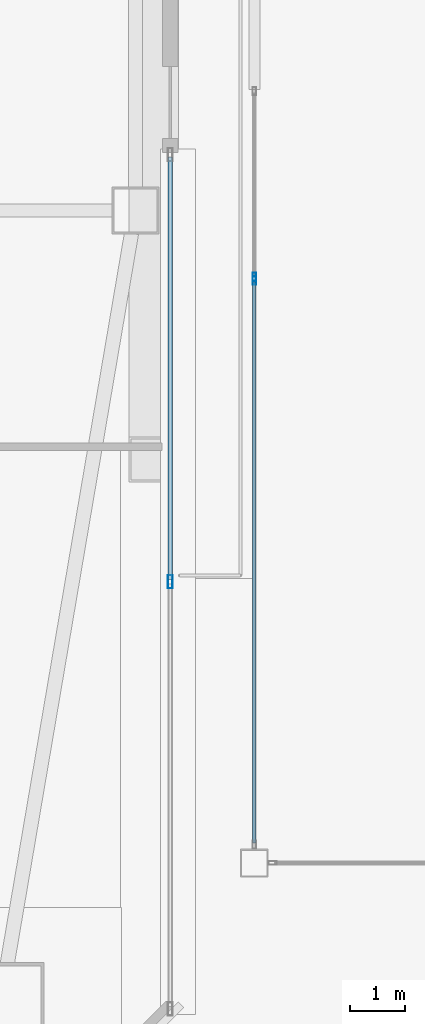
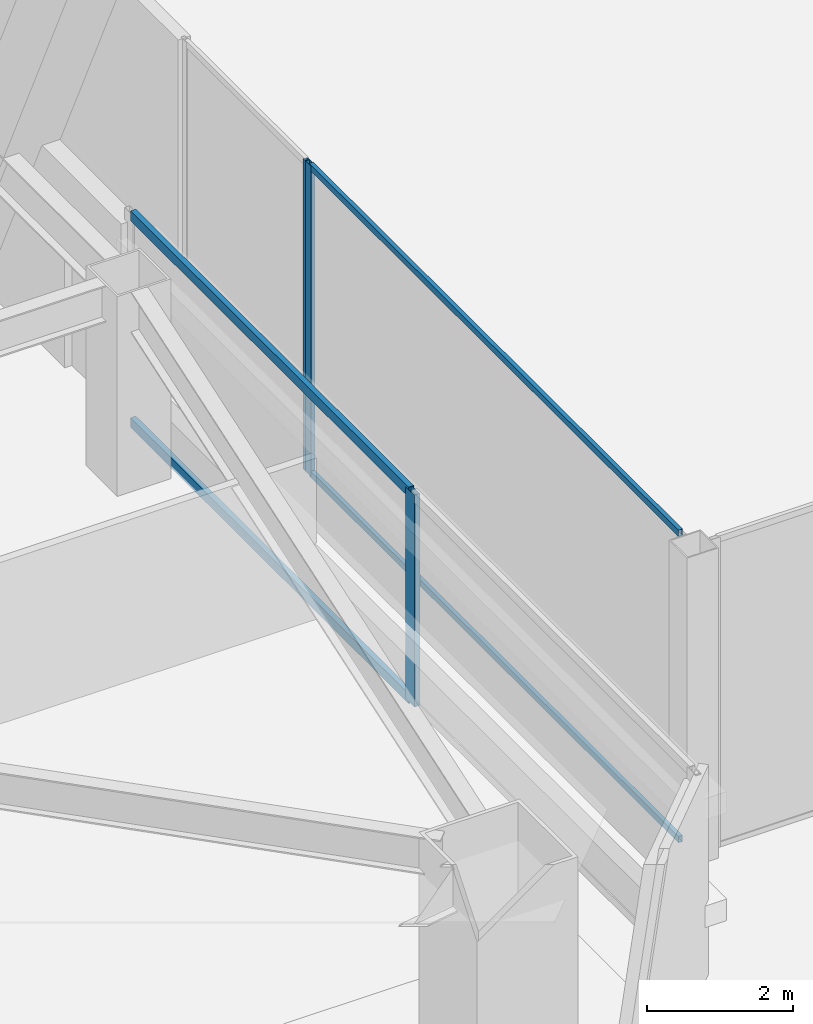
# One storey, part 26 of 83: 7 members, 3 elements without a shape of their own.
"""IFC4 building model written with IfcOpenShell, lengths in metres."""

from ifc_helpers import new_model, si_unit, direction, frame, origin, origin_2d, place, context, subcontext, project, spatial, hollow_rectangle, extrude, material, material_profile, profile_set, type_object, element, aggregate, save


model = new_model("IFC4")

# Units and contexts
model_context = context("Model", 3, precision=1e-05, world=origin(), true_north=direction((0.0, 1.0)))
body_context = subcontext(model_context, "Body", "Model", "MODEL_VIEW")
ifc_project = project(units=[si_unit("LENGTHUNIT", "METRE"), si_unit("AREAUNIT", "SQUARE_METRE"), si_unit("VOLUMEUNIT", "CUBIC_METRE"), si_unit("PLANEANGLEUNIT", "RADIAN"), si_unit("MASSUNIT", "GRAM", prefix="KILO")], contexts=[model_context])

# Site, building, storey
site_placement = place(None, origin())
site = spatial("IfcSite", under=ifc_project, at=site_placement, CompositionType="ELEMENT")
building_placement = place(site_placement, origin())
building = spatial("IfcBuilding", under=site, at=building_placement, Name="Tashvorn Skyway Center", CompositionType="ELEMENT")
storey_placement = place(building_placement, frame((0.0, 0.0, 24.60009765625)))
storey = spatial("IfcBuildingStorey", under=building, at=storey_placement, Name="L05", CompositionType="ELEMENT", Elevation=24.60009765625)

# Curtain wall, member
ifc_material = material(Name="Thermally broken bronze-anodized aluminium 6063-T6", Category="aluminium")
curtain_wall_type_1 = type_object("IfcCurtainWallType", Name="CW-CW-SKY", PredefinedType="NOTDEFINED", material=ifc_material)
curtain_wall_1_placement = place(storey_placement, origin())
curtain_wall_1 = element("IfcCurtainWall", 1, at=curtain_wall_1_placement, inside=storey, type_object=curtain_wall_type_1, Name="Station Concourse Monitor West Clerestory Curtain Wall Glazing Group 1", PredefinedType="NOTDEFINED")
ifc_material_profile_1 = material_profile(ifc_material, hollow_rectangle(XDim=0.06494140625, YDim=0.14990234375, WallThickness=0.00390625, at=origin_2d()), Name="ALU-MULL-65x150")
ifc_profile_set_1 = profile_set([ifc_material_profile_1], Name="Thermally broken bronze-anodized aluminium 6063-T6")
member_type_1 = type_object("IfcMemberType", Name="CWM-CW-SKY", PredefinedType="MULLION", material=ifc_profile_set_1)
member_1_placement = place(storey_placement, frame((66.39990234375, 25.334228515625, 0.0), z_axis=(0.0, 0.0, 1.0), x_axis=(-1.0, 0.0, 0.0)))
member_1 = element("IfcMember", 2, at=member_1_placement, type_object=member_type_1, Name="CW-SKY mullion 2", PredefinedType="MULLION", context=body_context, shape_type="SweptSolid", body=[
    extrude(hollow_rectangle(XDim=0.06494140625, YDim=0.14990234375, WallThickness=0.00390625, at=origin_2d()), origin(), (0.0, 0.0, 1.0), 5.199951171875),
])

curtain_wall_2_placement = place(storey_placement, origin())
curtain_wall_2 = element("IfcCurtainWall", 3, at=curtain_wall_2_placement, inside=storey, type_object=curtain_wall_type_1, Name="Station Concourse Monitor West Clerestory Curtain Wall Glazing Group 2", PredefinedType="NOTDEFINED")
member_2_placement = place(storey_placement, frame((66.39990234375, 25.399169921875, 0.0), z_axis=(0.0, 0.0, 1.0), x_axis=(-1.0, 0.0, 0.0)))
member_2 = element("IfcMember", 4, at=member_2_placement, type_object=member_type_1, Name="CW-SKY mullion 1", PredefinedType="MULLION", context=body_context, shape_type="SweptSolid", body=[
    extrude(hollow_rectangle(XDim=0.06494140625, YDim=0.14990234375, WallThickness=0.00390625, at=origin_2d()), origin(), (0.0, 0.0, 1.0), 5.199951171875),
])
aggregate(curtain_wall_2, [member_2])

curtain_wall_type_2 = type_object("IfcCurtainWallType", Name="CW-CW-Z1", PredefinedType="NOTDEFINED", material=ifc_material)
curtain_wall_3_placement = place(storey_placement, origin())
curtain_wall_3 = element("IfcCurtainWall", 5, at=curtain_wall_3_placement, inside=storey, type_object=curtain_wall_type_2, Name="Tower 1 L05 East Curtain Wall R", PredefinedType="NOTDEFINED")
ifc_material_profile_2 = material_profile(ifc_material, hollow_rectangle(XDim=0.0849609375, YDim=0.239990234375, WallThickness=0.0048828125, at=origin_2d()), Name="ALU-MULL-85x240")
ifc_profile_set_2 = profile_set([ifc_material_profile_2], Name="Thermally broken bronze-anodized aluminium 6063-T6")
member_type_2 = type_object("IfcMemberType", Name="CWM-CW-Z1", PredefinedType="MULLION", material=ifc_profile_set_2)
member_3_placement = place(storey_placement, frame((64.8798828125, 19.885009765625, 0.0), z_axis=(0.0, 0.0, 1.0), x_axis=(1.0, 0.0, 0.0)))
member_3 = element("IfcMember", 6, at=member_3_placement, type_object=member_type_2, Name="CW-Z1 mullion 2", PredefinedType="MULLION", context=body_context, shape_type="SweptSolid", body=[
    extrude(hollow_rectangle(XDim=0.0849609375, YDim=0.239990234375, WallThickness=0.0048828125, at=origin_2d()), origin(), (0.0, 0.0, 1.0), 3.5498046875),
])

# Member
ifc_material_profile_3 = material_profile(ifc_material, hollow_rectangle(XDim=0.06494140625, YDim=0.10498046875, WallThickness=0.00390625, at=origin_2d()), Name="ALU-TRAN-65x105")
ifc_profile_set_3 = profile_set([ifc_material_profile_3], Name="Thermally broken bronze-anodized aluminium 6063-T6")
member_type_3 = type_object("IfcMemberType", Name="CWT-CW-SKY", PredefinedType="USERDEFINED", material=ifc_profile_set_3)
member_4_placement = place(storey_placement, frame((66.39990234375, 15.1650390625, 0.032470703125), z_axis=(0.0, 1.0, 0.0), x_axis=(-1.0, 0.0, 0.0)))
member_4 = element("IfcMember", 7, at=member_4_placement, type_object=member_type_3, Name="CW-SKY transom 1.1", ObjectType="TRANSOM", PredefinedType="USERDEFINED", context=body_context, shape_type="SweptSolid", body=[
    extrude(hollow_rectangle(XDim=0.06494140625, YDim=0.10498046875, WallThickness=0.00390625, at=origin_2d()), origin(), (0.0, 0.0, 1.0), 10.13671875),
])

member_5_placement = place(storey_placement, frame((66.39990234375, 15.1650390625, 5.16748046875), z_axis=(0.0, 1.0, 0.0), x_axis=(-1.0, 0.0, 0.0)))
member_5 = element("IfcMember", 8, at=member_5_placement, type_object=member_type_3, Name="CW-SKY transom 1.2", ObjectType="TRANSOM", PredefinedType="USERDEFINED", context=body_context, shape_type="SweptSolid", body=[
    extrude(hollow_rectangle(XDim=0.06494140625, YDim=0.10498046875, WallThickness=0.00390625, at=origin_2d()), origin(), (0.0, 0.0, 1.0), 10.13671875),
])

aggregate(curtain_wall_1, [member_1, member_4, member_5])

ifc_material_profile_4 = material_profile(ifc_material, hollow_rectangle(XDim=0.0849609375, YDim=0.1650390625, WallThickness=0.0048828125, at=origin_2d()), Name="ALU-TRAN-85x165")
ifc_profile_set_4 = profile_set([ifc_material_profile_4], Name="Thermally broken bronze-anodized aluminium 6063-T6")
member_type_4 = type_object("IfcMemberType", Name="CWT-CW-Z1", PredefinedType="USERDEFINED", material=ifc_profile_set_4)
member_6_placement = place(storey_placement, frame((64.8798828125, 27.56494140625, 0.04248046875), z_axis=(0.0, -1.0, 0.0), x_axis=(1.0, 0.0, 0.0)))
member_6 = element("IfcMember", 9, at=member_6_placement, type_object=member_type_4, Name="CW-Z1 transom 1.1", ObjectType="TRANSOM", PredefinedType="USERDEFINED", context=body_context, shape_type="SweptSolid", body=[
    extrude(hollow_rectangle(XDim=0.0849609375, YDim=0.1650390625, WallThickness=0.0048828125, at=origin_2d()), origin(), (0.0, 0.0, 1.0), 7.637451171875),
])

member_7_placement = place(storey_placement, frame((64.8798828125, 27.56494140625, 3.50732421875), z_axis=(0.0, -1.0, 0.0), x_axis=(1.0, 0.0, 0.0)))
member_7 = element("IfcMember", 10, at=member_7_placement, type_object=member_type_4, Name="CW-Z1 transom 1.2", ObjectType="TRANSOM", PredefinedType="USERDEFINED", context=body_context, shape_type="SweptSolid", body=[
    extrude(hollow_rectangle(XDim=0.0849609375, YDim=0.1650390625, WallThickness=0.0048828125, at=origin_2d()), origin(), (0.0, 0.0, 1.0), 7.637451171875),
])

aggregate(curtain_wall_3, [member_3, member_6, member_7])

save(model, "model.ifc")
